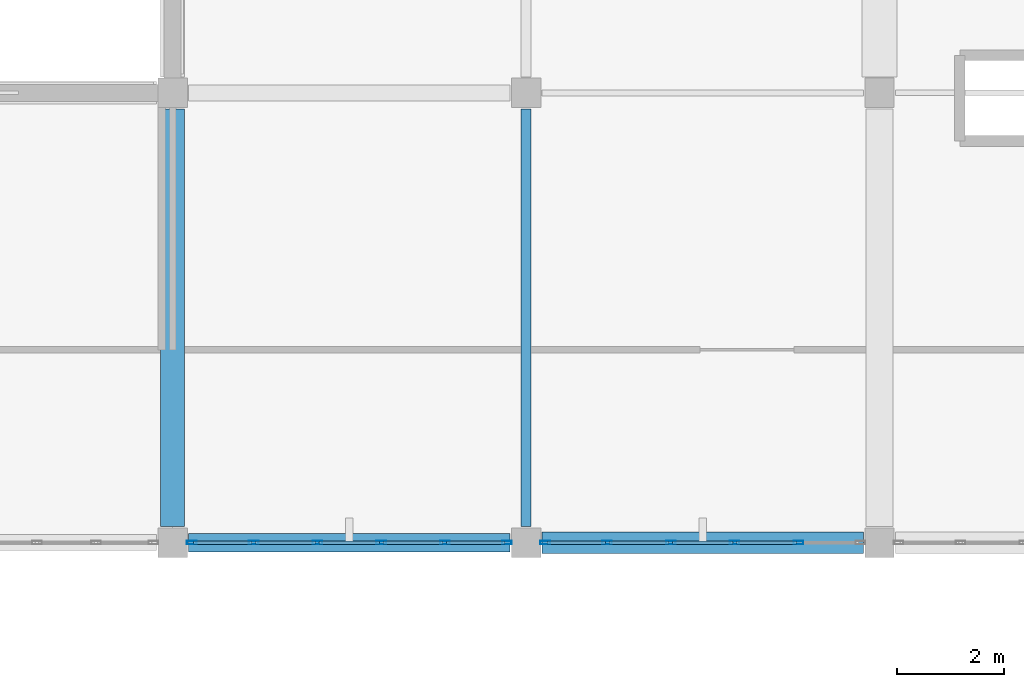
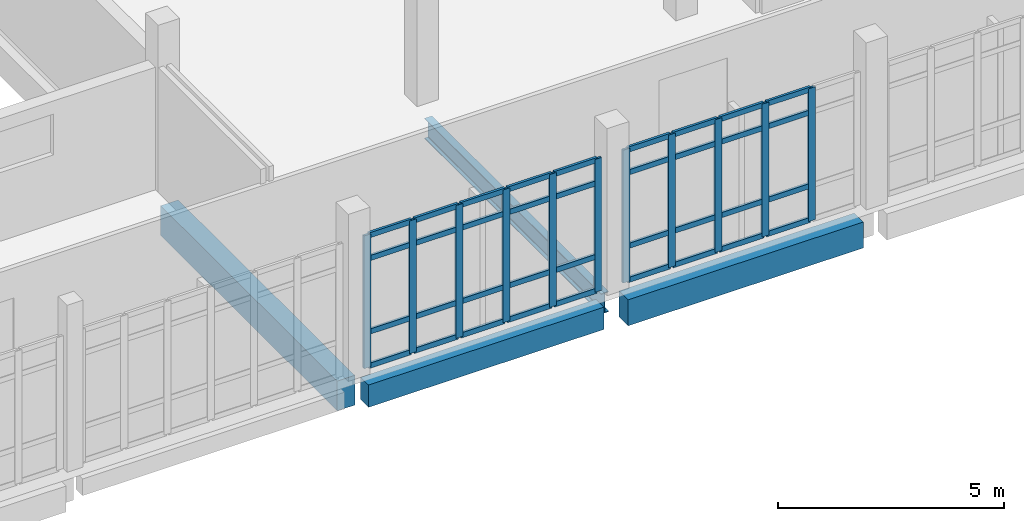
# One storey, part 71 of 134: 47 members, 4 beams, 2 elements without a shape of their own.
"""IFC4 building model written with IfcOpenShell, lengths in metres."""

import ifcopenshell
import ifcopenshell.guid

model = None  # the IFC model being written
_history = None  # IfcOwnerHistory: only IFC2X3 demands one
_inside = {}  # id of a spatial element -> (the spatial element, [elements in it])
_under = {}  # id of a project, library or spatial element -> (it, [spatial elements below it])
_declared = {}  # id of a project -> (the project, [libraries it declares])
_typed = {}  # id of a type object -> (the type object, [elements of that type])
_made_of = {}  # id of a material, layer set ... -> (it, [elements and type objects made of it])


def new_model(schema):
    """Start an empty IFC model of exactly this schema.

    Asked for "IFC4X3", IfcOpenShell would pick the latest addendum, in which some entities
    have other attributes; the version numbers below select the first issue.
    IFC2X3 requires an IfcOwnerHistory on every rooted entity: one is made here for all.
    """
    global model, _history
    if schema == "IFC4X3":
        model = ifcopenshell.file(schema_version=(4, 3, 0, 0))
    else:
        model = ifcopenshell.file(schema=schema)
    _inside.clear()
    _under.clear()
    _declared.clear()
    _typed.clear()
    _made_of.clear()
    _history = None
    if model.schema == "IFC2X3":
        org = make("IfcOrganization", Name="unknown")
        user = make(
            "IfcPersonAndOrganization",
            ThePerson=make("IfcPerson", FamilyName="unknown"),
            TheOrganization=org,
        )
        app = make(
            "IfcApplication",
            ApplicationDeveloper=org,
            Version="unknown",
            ApplicationFullName="unknown",
            ApplicationIdentifier="unknown",
        )
        _history = make(
            "IfcOwnerHistory",
            OwningUser=user,
            OwningApplication=app,
            ChangeAction="ADDED",
            CreationDate=0,
        )
    return model


def make(cls, **values):
    """One entity of the class cls with the attributes given. An attribute that is None is left unset."""
    return model.create_entity(
        cls, **{name: value for name, value in values.items() if value is not None}
    )


def rooted(cls, **values):
    """An entity with a GlobalId (a new one), such as an element, a storey or a relation."""
    return make(cls, GlobalId=ifcopenshell.guid.new(), OwnerHistory=_history, **values)


def si_unit(unit_type, name, prefix=None):
    """IfcSIUnit, for example si_unit("LENGTHUNIT", "METRE", prefix="MILLI")."""
    return make("IfcSIUnit", UnitType=unit_type, Prefix=prefix, Name=name)


def assignment(units):
    """IfcUnitAssignment: the units of a project."""
    return None if units is None else make("IfcUnitAssignment", Units=units)


def point(xyz):
    """IfcCartesianPoint."""
    return None if xyz is None else make("IfcCartesianPoint", Coordinates=xyz)


def direction(xyz):
    """IfcDirection."""
    return None if xyz is None else make("IfcDirection", DirectionRatios=xyz)


def frame(location, z_axis=None, x_axis=None):
    """IfcAxis2Placement3D, a coordinate frame: its origin and axes. An axis left out is left unset."""
    return make(
        "IfcAxis2Placement3D",
        Location=point(location),
        Axis=direction(z_axis),
        RefDirection=direction(x_axis),
    )


def frame_2d(location, x_axis=None):
    """IfcAxis2Placement2D, a coordinate frame in the plane: its origin and x axis."""
    return make(
        "IfcAxis2Placement2D", Location=point(location), RefDirection=direction(x_axis)
    )


def origin():
    """The frame at (0, 0, 0) with its axes left unset."""
    return frame((0.0, 0.0, 0.0))


def origin_2d():
    """The frame at (0, 0) in the plane with its x axis left unset."""
    return frame_2d((0.0, 0.0))


def place(relative_to, where):
    """IfcLocalPlacement: puts the frame where relative to a parent placement (None: the world)."""
    return make(
        "IfcLocalPlacement", PlacementRelTo=relative_to, RelativePlacement=where
    )


def context(
    kind, dimensions, precision=None, world=None, true_north=None, identifier=None
):
    """IfcGeometricRepresentationContext, for example the 3D "Model" context."""
    return make(
        "IfcGeometricRepresentationContext",
        ContextIdentifier=identifier,
        ContextType=kind,
        CoordinateSpaceDimension=dimensions,
        Precision=precision,
        WorldCoordinateSystem=world,
        TrueNorth=true_north,
    )


def subcontext(parent, identifier, kind, view, scale=None):
    """IfcGeometricRepresentationSubContext, for example "Body" below "Model"."""
    return make(
        "IfcGeometricRepresentationSubContext",
        ContextIdentifier=identifier,
        ContextType=kind,
        ParentContext=parent,
        TargetScale=scale,
        TargetView=view,
    )


def project(units=None, contexts=None):
    """IfcProject with its units and contexts."""
    return rooted(
        "IfcProject",
        Name="project",
        RepresentationContexts=contexts,
        UnitsInContext=assignment(units),
    )


def spatial(cls, under=None, at=None, **own):
    """A site, building, storey or space (cls), placed at a placement, below another one or the project."""
    s = rooted(cls, ObjectPlacement=at, **own)
    if under is not None:
        _under.setdefault(under.id(), (under, []))[1].append(s)
    return s


def profile(cls, at=None, kind="AREA", **sizes):
    """A parametric profile (cls). Its sizes go by their IFC names, for example OverallWidth=200.0."""
    return make(cls, ProfileType=kind, Position=at, **sizes)


def rectangle(**sizes):
    """IfcRectangleProfileDef."""
    return profile("IfcRectangleProfileDef", **sizes)


def hollow_rectangle(**sizes):
    """IfcRectangleHollowProfileDef."""
    return profile("IfcRectangleHollowProfileDef", **sizes)


def i_section(**sizes):
    """IfcIShapeProfileDef."""
    return profile("IfcIShapeProfileDef", **sizes)


def extrude(swept, where, along, depth):
    """IfcExtrudedAreaSolid: the profile swept, set in the frame where, extruded along a direction by depth."""
    return make(
        "IfcExtrudedAreaSolid",
        SweptArea=swept,
        Position=where,
        ExtrudedDirection=direction(along),
        Depth=depth,
    )


def shape(context_of_items, identifier, shape_type, items):
    """IfcShapeRepresentation: the items that make up one representation, for example the "Body"."""
    return make(
        "IfcShapeRepresentation",
        ContextOfItems=context_of_items,
        RepresentationIdentifier=identifier,
        RepresentationType=shape_type,
        Items=items,
    )


def material(Name=None, Category=None):
    """IfcMaterial."""
    return make("IfcMaterial", Name=Name, Category=Category)


def material_profile(
    of_material, cross_section, Name=None, Category=None, Priority=None
):
    """IfcMaterialProfile: a cross section and its material."""
    return make(
        "IfcMaterialProfile",
        Name=Name,
        Material=of_material,
        Profile=cross_section,
        Priority=Priority,
        Category=Category,
    )


def profile_set(profiles, Name=None, composite=None):
    """IfcMaterialProfileSet."""
    return make(
        "IfcMaterialProfileSet",
        Name=Name,
        MaterialProfiles=profiles,
        CompositeProfile=composite,
    )


def made_of(thing, what):
    """Note that an element or type object is made of a material, layer set ...; save() writes the relation."""
    if what is not None:
        _made_of.setdefault(what.id(), (what, []))[1].append(thing)
    return thing


def type_object(cls, material=None, **own):
    """A type object (cls), such as IfcWallType, which elements share."""
    return made_of(rooted(cls, **own), material)


def element(
    cls,
    number,
    at=None,
    inside=None,
    cuts=None,
    type_object=None,
    material=None,
    context=None,
    identifier="Body",
    shape_type=None,
    held_by="IfcProductDefinitionShape",
    body=None,
    shapes=None,
    **own,
):
    """One element of the class cls, such as IfcWall. Its Tag is "e" and its number.

    at: its placement. inside: the storey or other place that contains it. cuts: it is an
    opening in that element (IfcRelVoidsElement). A single representation is given by context,
    identifier, shape_type and body (its items); several are given by shapes. held_by: the class
    of the entity that holds the representations. save() writes the other relations.
    """
    e = rooted(cls, Tag="e%d" % number, ObjectPlacement=at, **own)
    if body is not None:
        shapes = [shape(context, identifier, shape_type, body)]
    if shapes is not None:
        e.Representation = make(held_by, Representations=shapes)
    if inside is not None:
        _inside.setdefault(inside.id(), (inside, []))[1].append(e)
    if cuts is not None:
        rooted(
            "IfcRelVoidsElement", RelatingBuildingElement=cuts, RelatedOpeningElement=e
        )
    if type_object is not None:
        _typed.setdefault(type_object.id(), (type_object, []))[1].append(e)
    return made_of(e, material)


def aggregate(whole, parts):
    """IfcRelAggregates: a whole, such as a stair, and the parts it consists of."""
    return rooted("IfcRelAggregates", RelatingObject=whole, RelatedObjects=parts)


def save(model, path):
    """Write the relations noted so far, then the file.

    IfcRelAggregates (storeys below a building ...), IfcRelContainedInSpatialStructure (elements
    in a storey), IfcRelDefinesByType, IfcRelAssociatesMaterial and IfcRelDeclares: one each for
    every whole, place, type object, material and project.
    """
    for whole, parts in _under.values():
        aggregate(whole, parts)
    for where, things in _inside.values():
        rooted(
            "IfcRelContainedInSpatialStructure",
            RelatedElements=things,
            RelatingStructure=where,
        )
    for kind, things in _typed.values():
        rooted("IfcRelDefinesByType", RelatedObjects=things, RelatingType=kind)
    for what, things in _made_of.values():
        rooted("IfcRelAssociatesMaterial", RelatedObjects=things, RelatingMaterial=what)
    for by, libraries in _declared.values():
        rooted("IfcRelDeclares", RelatingContext=by, RelatedDefinitions=libraries)
    model.write(path)


model = new_model("IFC4")

# Units and contexts
model_context = context("Model", 3, precision=1e-05, world=origin(), true_north=direction((0.0, 1.0)))
body_context = subcontext(model_context, "Body", "Model", "MODEL_VIEW")
ifc_project = project(units=[si_unit("LENGTHUNIT", "METRE"), si_unit("AREAUNIT", "SQUARE_METRE"), si_unit("VOLUMEUNIT", "CUBIC_METRE"), si_unit("PLANEANGLEUNIT", "RADIAN"), si_unit("MASSUNIT", "GRAM", prefix="KILO")], contexts=[model_context])

# Site, building, storey
site_placement = place(None, origin())
site = spatial("IfcSite", under=ifc_project, at=site_placement, CompositionType="ELEMENT")
building_placement = place(site_placement, origin())
building = spatial("IfcBuilding", under=site, at=building_placement, Name="Kalluvel Institute of Natural Sciences", CompositionType="ELEMENT")
storey_placement = place(building_placement, frame((0.0, 0.0, 5.39990234375)))
storey = spatial("IfcBuildingStorey", under=building, at=storey_placement, Name="L01", CompositionType="ELEMENT", Elevation=5.39990234375)

# Beams
ifc_material_1 = material(Name="Steel E350 Grade 350", Category="steel")
ifc_material_profile_1 = material_profile(ifc_material_1, i_section(OverallWidth=0.18994140625, OverallDepth=0.550048828125, WebThickness=0.01123046875, FlangeThickness=0.019287109375, FilletRadius=0.01806640625, at=origin_2d()), Name="ISMB 550")
ifc_profile_set_1 = profile_set([ifc_material_profile_1], Name="Steel E350 Grade 350")
beam_type_1 = type_object("IfcBeamType", Name="BM-ISMB550", PredefinedType="BEAM", material=ifc_profile_set_1)
beam_1_placement = place(storey_placement, frame((135.800048828125, 103.10009765625, -0.635009765625), z_axis=(0.0, 1.0, 0.0), x_axis=(-1.0, 0.0, 0.0)))
element("IfcBeam", 1, at=beam_1_placement, inside=storey, type_object=beam_type_1, Name="L01 girder GIR-L01-NS-X1358-Y1028", PredefinedType="BEAM", context=body_context, shape_type="SweptSolid", body=[
    extrude(i_section(OverallWidth=0.18994140625, OverallDepth=0.550048828125, WebThickness=0.01123046875, FlangeThickness=0.019287109375, FilletRadius=0.01806640625, at=origin_2d()), origin(), (0.0, 0.0, 1.0), 7.7998046875),
])
ifc_material_2 = material(Name="Concrete M40", Category="concrete")
ifc_material_profile_2 = material_profile(ifc_material_2, rectangle(XDim=0.449951171875, YDim=0.800048828125, at=origin_2d()), Name="RCB 450x800")
ifc_profile_set_2 = profile_set([ifc_material_profile_2], Name="Concrete M40")
beam_type_2 = type_object("IfcBeamType", Name="BM-RC450x800", PredefinedType="BEAM", material=ifc_profile_set_2)
beam_2_placement = place(storey_placement, frame((129.199951171875, 103.10009765625, -0.760009765625), z_axis=(0.0, 1.0, 0.0), x_axis=(-1.0, 0.0, 0.0)))
element("IfcBeam", 2, at=beam_2_placement, inside=storey, type_object=beam_type_2, Name="L01 girder GIR-L01-NS-X1292-Y1028", PredefinedType="BEAM", context=body_context, shape_type="SweptSolid", body=[
    extrude(rectangle(XDim=0.449951171875, YDim=0.800048828125, at=origin_2d()), origin(), (0.0, 0.0, 1.0), 7.7998046875),
])

# Curtain wall, members
ifc_material_3 = material(Name="Aluminium AW-6063 T6", Category="aluminium")
curtain_wall_type = type_object("IfcCurtainWallType", Name="CW-CLN-45", PredefinedType="USERDEFINED", material=ifc_material_3)
curtain_wall_1_placement = place(storey_placement, origin())
curtain_wall_1 = element("IfcCurtainWall", 3, at=curtain_wall_1_placement, inside=storey, type_object=curtain_wall_type, Name="L01 Gothic lancet curtain wall CWA-L01-X1295-Y1028", ObjectType="UNITISED LANCET FACADE", PredefinedType="USERDEFINED")
ifc_material_profile_3 = material_profile(ifc_material_3, hollow_rectangle(XDim=0.06494140625, YDim=0.179931640625, WallThickness=0.00439453125, at=origin_2d()), Name="CWM 65x180")
ifc_profile_set_3 = profile_set([ifc_material_profile_3], Name="Aluminium AW-6063 T6")
member_type_1 = type_object("IfcMemberType", Name="CWM-65x180", PredefinedType="MULLION", material=ifc_profile_set_3)
member_1_placement = place(storey_placement, frame((129.5576171875, 102.800048828125, 0.0), z_axis=(0.0, 0.0, 1.0), x_axis=(0.0, 1.0, 0.0)))
member_1 = element("IfcMember", 4, at=member_1_placement, type_object=member_type_1, Name="CW-08 mullion 1", PredefinedType="MULLION", context=body_context, shape_type="SweptSolid", body=[
    extrude(hollow_rectangle(XDim=0.06494140625, YDim=0.179931640625, WallThickness=0.00439453125, at=origin_2d()), origin(), (0.0, 0.0, 1.0), 3.580078125),
])
member_2_placement = place(storey_placement, frame((130.715087890625, 102.800048828125, 0.0), z_axis=(0.0, 0.0, 1.0), x_axis=(0.0, 1.0, 0.0)))
member_2 = element("IfcMember", 5, at=member_2_placement, type_object=member_type_1, Name="CW-08 mullion 2", PredefinedType="MULLION", context=body_context, shape_type="SweptSolid", body=[
    extrude(hollow_rectangle(XDim=0.06494140625, YDim=0.179931640625, WallThickness=0.00439453125, at=origin_2d()), origin(), (0.0, 0.0, 1.0), 3.580078125),
])
member_3_placement = place(storey_placement, frame((131.905029296875, 102.800048828125, 0.0), z_axis=(0.0, 0.0, 1.0), x_axis=(0.0, 1.0, 0.0)))
member_3 = element("IfcMember", 6, at=member_3_placement, type_object=member_type_1, Name="CW-08 mullion 3", PredefinedType="MULLION", context=body_context, shape_type="SweptSolid", body=[
    extrude(hollow_rectangle(XDim=0.06494140625, YDim=0.179931640625, WallThickness=0.00439453125, at=origin_2d()), origin(), (0.0, 0.0, 1.0), 3.580078125),
])
member_4_placement = place(storey_placement, frame((133.094970703125, 102.800048828125, 0.0), z_axis=(0.0, 0.0, 1.0), x_axis=(0.0, 1.0, 0.0)))
member_4 = element("IfcMember", 7, at=member_4_placement, type_object=member_type_1, Name="CW-08 mullion 4", PredefinedType="MULLION", context=body_context, shape_type="SweptSolid", body=[
    extrude(hollow_rectangle(XDim=0.06494140625, YDim=0.179931640625, WallThickness=0.00439453125, at=origin_2d()), origin(), (0.0, 0.0, 1.0), 3.580078125),
])
member_5_placement = place(storey_placement, frame((134.284912109375, 102.800048828125, 0.0), z_axis=(0.0, 0.0, 1.0), x_axis=(0.0, 1.0, 0.0)))
member_5 = element("IfcMember", 8, at=member_5_placement, type_object=member_type_1, Name="CW-08 mullion 5", PredefinedType="MULLION", context=body_context, shape_type="SweptSolid", body=[
    extrude(hollow_rectangle(XDim=0.06494140625, YDim=0.179931640625, WallThickness=0.00439453125, at=origin_2d()), origin(), (0.0, 0.0, 1.0), 3.580078125),
])
member_6_placement = place(storey_placement, frame((135.4423828125, 102.800048828125, 0.0), z_axis=(0.0, 0.0, 1.0), x_axis=(0.0, 1.0, 0.0)))
member_6 = element("IfcMember", 9, at=member_6_placement, type_object=member_type_1, Name="CW-08 mullion 6", PredefinedType="MULLION", context=body_context, shape_type="SweptSolid", body=[
    extrude(hollow_rectangle(XDim=0.06494140625, YDim=0.179931640625, WallThickness=0.00439453125, at=origin_2d()), origin(), (0.0, 0.0, 1.0), 3.580078125),
])

curtain_wall_2_placement = place(storey_placement, origin())
curtain_wall_2 = element("IfcCurtainWall", 10, at=curtain_wall_2_placement, inside=storey, type_object=curtain_wall_type, Name="L01 Gothic lancet curtain wall CWA-L01-X1361-Y1028", ObjectType="UNITISED LANCET FACADE", PredefinedType="USERDEFINED")
member_7_placement = place(storey_placement, frame((136.157470703125, 102.800048828125, 0.0), z_axis=(0.0, 0.0, 1.0), x_axis=(0.0, 1.0, 0.0)))
member_7 = element("IfcMember", 11, at=member_7_placement, type_object=member_type_1, Name="CW-08 mullion 1", PredefinedType="MULLION", context=body_context, shape_type="SweptSolid", body=[
    extrude(hollow_rectangle(XDim=0.06494140625, YDim=0.179931640625, WallThickness=0.00439453125, at=origin_2d()), origin(), (0.0, 0.0, 1.0), 3.580078125),
])
member_8_placement = place(storey_placement, frame((137.31494140625, 102.800048828125, 0.0), z_axis=(0.0, 0.0, 1.0), x_axis=(0.0, 1.0, 0.0)))
member_8 = element("IfcMember", 12, at=member_8_placement, type_object=member_type_1, Name="CW-08 mullion 2", PredefinedType="MULLION", context=body_context, shape_type="SweptSolid", body=[
    extrude(hollow_rectangle(XDim=0.06494140625, YDim=0.179931640625, WallThickness=0.00439453125, at=origin_2d()), origin(), (0.0, 0.0, 1.0), 3.580078125),
])
member_9_placement = place(storey_placement, frame((138.5048828125, 102.800048828125, 0.0), z_axis=(0.0, 0.0, 1.0), x_axis=(0.0, 1.0, 0.0)))
member_9 = element("IfcMember", 13, at=member_9_placement, type_object=member_type_1, Name="CW-08 mullion 3", PredefinedType="MULLION", context=body_context, shape_type="SweptSolid", body=[
    extrude(hollow_rectangle(XDim=0.06494140625, YDim=0.179931640625, WallThickness=0.00439453125, at=origin_2d()), origin(), (0.0, 0.0, 1.0), 3.580078125),
])
member_10_placement = place(storey_placement, frame((139.695068359375, 102.800048828125, 0.0), z_axis=(0.0, 0.0, 1.0), x_axis=(0.0, 1.0, 0.0)))
member_10 = element("IfcMember", 14, at=member_10_placement, type_object=member_type_1, Name="CW-08 mullion 4", PredefinedType="MULLION", context=body_context, shape_type="SweptSolid", body=[
    extrude(hollow_rectangle(XDim=0.06494140625, YDim=0.179931640625, WallThickness=0.00439453125, at=origin_2d()), origin(), (0.0, 0.0, 1.0), 3.580078125),
])
member_11_placement = place(storey_placement, frame((140.885009765625, 102.800048828125, 0.0), z_axis=(0.0, 0.0, 1.0), x_axis=(0.0, 1.0, 0.0)))
member_11 = element("IfcMember", 15, at=member_11_placement, type_object=member_type_1, Name="CW-08 mullion 5", PredefinedType="MULLION", context=body_context, shape_type="SweptSolid", body=[
    extrude(hollow_rectangle(XDim=0.06494140625, YDim=0.179931640625, WallThickness=0.00439453125, at=origin_2d()), origin(), (0.0, 0.0, 1.0), 3.580078125),
])

# Member
ifc_material_profile_4 = material_profile(ifc_material_3, hollow_rectangle(XDim=0.06494140625, YDim=0.139892578125, WallThickness=0.00439453125, at=origin_2d()), Name="CWT 65x140")
ifc_profile_set_4 = profile_set([ifc_material_profile_4], Name="Aluminium AW-6063 T6")
member_type_2 = type_object("IfcMemberType", Name="CWT-65x140", PredefinedType="USERDEFINED", material=ifc_profile_set_4)
member_12_placement = place(storey_placement, frame((129.590087890625, 102.800048828125, 0.03271484375), z_axis=(1.0, 0.0, 0.0), x_axis=(0.0, 1.0, 0.0)))
member_12 = element("IfcMember", 16, at=member_12_placement, type_object=member_type_2, Name="CW-08 transom 1.1", ObjectType="TRANSOM", PredefinedType="USERDEFINED", context=body_context, shape_type="SweptSolid", body=[
    extrude(hollow_rectangle(XDim=0.06494140625, YDim=0.139892578125, WallThickness=0.00439453125, at=origin_2d()), origin(), (0.0, 0.0, 1.0), 1.092529296875),
])

member_13_placement = place(storey_placement, frame((129.590087890625, 102.800048828125, 0.9501953125), z_axis=(1.0, 0.0, 0.0), x_axis=(0.0, 1.0, 0.0)))
member_13 = element("IfcMember", 17, at=member_13_placement, type_object=member_type_2, Name="CW-08 transom 1.2", ObjectType="TRANSOM", PredefinedType="USERDEFINED", context=body_context, shape_type="SweptSolid", body=[
    extrude(hollow_rectangle(XDim=0.06494140625, YDim=0.139892578125, WallThickness=0.00439453125, at=origin_2d()), origin(), (0.0, 0.0, 1.0), 1.092529296875),
])

member_14_placement = place(storey_placement, frame((129.590087890625, 102.800048828125, 2.93017578125), z_axis=(1.0, 0.0, 0.0), x_axis=(0.0, 1.0, 0.0)))
member_14 = element("IfcMember", 18, at=member_14_placement, type_object=member_type_2, Name="CW-08 transom 1.3", ObjectType="TRANSOM", PredefinedType="USERDEFINED", context=body_context, shape_type="SweptSolid", body=[
    extrude(hollow_rectangle(XDim=0.06494140625, YDim=0.139892578125, WallThickness=0.00439453125, at=origin_2d()), origin(), (0.0, 0.0, 1.0), 1.092529296875),
])

member_15_placement = place(storey_placement, frame((129.590087890625, 102.800048828125, 3.547607421875), z_axis=(1.0, 0.0, 0.0), x_axis=(0.0, 1.0, 0.0)))
member_15 = element("IfcMember", 19, at=member_15_placement, type_object=member_type_2, Name="CW-08 transom 1.4", ObjectType="TRANSOM", PredefinedType="USERDEFINED", context=body_context, shape_type="SweptSolid", body=[
    extrude(hollow_rectangle(XDim=0.06494140625, YDim=0.139892578125, WallThickness=0.00439453125, at=origin_2d()), origin(), (0.0, 0.0, 1.0), 1.092529296875),
])

member_16_placement = place(storey_placement, frame((130.74755859375, 102.800048828125, 0.03271484375), z_axis=(1.0, 0.0, 0.0), x_axis=(0.0, 1.0, 0.0)))
member_16 = element("IfcMember", 20, at=member_16_placement, type_object=member_type_2, Name="CW-08 transom 2.1", ObjectType="TRANSOM", PredefinedType="USERDEFINED", context=body_context, shape_type="SweptSolid", body=[
    extrude(hollow_rectangle(XDim=0.06494140625, YDim=0.139892578125, WallThickness=0.00439453125, at=origin_2d()), origin(), (0.0, 0.0, 1.0), 1.125),
])

member_17_placement = place(storey_placement, frame((130.74755859375, 102.800048828125, 0.9501953125), z_axis=(1.0, 0.0, 0.0), x_axis=(0.0, 1.0, 0.0)))
member_17 = element("IfcMember", 21, at=member_17_placement, type_object=member_type_2, Name="CW-08 transom 2.2", ObjectType="TRANSOM", PredefinedType="USERDEFINED", context=body_context, shape_type="SweptSolid", body=[
    extrude(hollow_rectangle(XDim=0.06494140625, YDim=0.139892578125, WallThickness=0.00439453125, at=origin_2d()), origin(), (0.0, 0.0, 1.0), 1.125),
])

member_18_placement = place(storey_placement, frame((130.74755859375, 102.800048828125, 2.93017578125), z_axis=(1.0, 0.0, 0.0), x_axis=(0.0, 1.0, 0.0)))
member_18 = element("IfcMember", 22, at=member_18_placement, type_object=member_type_2, Name="CW-08 transom 2.3", ObjectType="TRANSOM", PredefinedType="USERDEFINED", context=body_context, shape_type="SweptSolid", body=[
    extrude(hollow_rectangle(XDim=0.06494140625, YDim=0.139892578125, WallThickness=0.00439453125, at=origin_2d()), origin(), (0.0, 0.0, 1.0), 1.125),
])

member_19_placement = place(storey_placement, frame((130.74755859375, 102.800048828125, 3.547607421875), z_axis=(1.0, 0.0, 0.0), x_axis=(0.0, 1.0, 0.0)))
member_19 = element("IfcMember", 23, at=member_19_placement, type_object=member_type_2, Name="CW-08 transom 2.4", ObjectType="TRANSOM", PredefinedType="USERDEFINED", context=body_context, shape_type="SweptSolid", body=[
    extrude(hollow_rectangle(XDim=0.06494140625, YDim=0.139892578125, WallThickness=0.00439453125, at=origin_2d()), origin(), (0.0, 0.0, 1.0), 1.125),
])

member_20_placement = place(storey_placement, frame((131.9375, 102.800048828125, 0.03271484375), z_axis=(1.0, 0.0, 0.0), x_axis=(0.0, 1.0, 0.0)))
member_20 = element("IfcMember", 24, at=member_20_placement, type_object=member_type_2, Name="CW-08 transom 3.1", ObjectType="TRANSOM", PredefinedType="USERDEFINED", context=body_context, shape_type="SweptSolid", body=[
    extrude(hollow_rectangle(XDim=0.06494140625, YDim=0.139892578125, WallThickness=0.00439453125, at=origin_2d()), origin(), (0.0, 0.0, 1.0), 1.125),
])

member_21_placement = place(storey_placement, frame((131.9375, 102.800048828125, 0.9501953125), z_axis=(1.0, 0.0, 0.0), x_axis=(0.0, 1.0, 0.0)))
member_21 = element("IfcMember", 25, at=member_21_placement, type_object=member_type_2, Name="CW-08 transom 3.2", ObjectType="TRANSOM", PredefinedType="USERDEFINED", context=body_context, shape_type="SweptSolid", body=[
    extrude(hollow_rectangle(XDim=0.06494140625, YDim=0.139892578125, WallThickness=0.00439453125, at=origin_2d()), origin(), (0.0, 0.0, 1.0), 1.125),
])

member_22_placement = place(storey_placement, frame((131.9375, 102.800048828125, 2.93017578125), z_axis=(1.0, 0.0, 0.0), x_axis=(0.0, 1.0, 0.0)))
member_22 = element("IfcMember", 26, at=member_22_placement, type_object=member_type_2, Name="CW-08 transom 3.3", ObjectType="TRANSOM", PredefinedType="USERDEFINED", context=body_context, shape_type="SweptSolid", body=[
    extrude(hollow_rectangle(XDim=0.06494140625, YDim=0.139892578125, WallThickness=0.00439453125, at=origin_2d()), origin(), (0.0, 0.0, 1.0), 1.125),
])

member_23_placement = place(storey_placement, frame((131.9375, 102.800048828125, 3.547607421875), z_axis=(1.0, 0.0, 0.0), x_axis=(0.0, 1.0, 0.0)))
member_23 = element("IfcMember", 27, at=member_23_placement, type_object=member_type_2, Name="CW-08 transom 3.4", ObjectType="TRANSOM", PredefinedType="USERDEFINED", context=body_context, shape_type="SweptSolid", body=[
    extrude(hollow_rectangle(XDim=0.06494140625, YDim=0.139892578125, WallThickness=0.00439453125, at=origin_2d()), origin(), (0.0, 0.0, 1.0), 1.125),
])

member_24_placement = place(storey_placement, frame((133.12744140625, 102.800048828125, 0.03271484375), z_axis=(1.0, 0.0, 0.0), x_axis=(0.0, 1.0, 0.0)))
member_24 = element("IfcMember", 28, at=member_24_placement, type_object=member_type_2, Name="CW-08 transom 4.1", ObjectType="TRANSOM", PredefinedType="USERDEFINED", context=body_context, shape_type="SweptSolid", body=[
    extrude(hollow_rectangle(XDim=0.06494140625, YDim=0.139892578125, WallThickness=0.00439453125, at=origin_2d()), origin(), (0.0, 0.0, 1.0), 1.125),
])

member_25_placement = place(storey_placement, frame((133.12744140625, 102.800048828125, 0.9501953125), z_axis=(1.0, 0.0, 0.0), x_axis=(0.0, 1.0, 0.0)))
member_25 = element("IfcMember", 29, at=member_25_placement, type_object=member_type_2, Name="CW-08 transom 4.2", ObjectType="TRANSOM", PredefinedType="USERDEFINED", context=body_context, shape_type="SweptSolid", body=[
    extrude(hollow_rectangle(XDim=0.06494140625, YDim=0.139892578125, WallThickness=0.00439453125, at=origin_2d()), origin(), (0.0, 0.0, 1.0), 1.125),
])

member_26_placement = place(storey_placement, frame((133.12744140625, 102.800048828125, 2.93017578125), z_axis=(1.0, 0.0, 0.0), x_axis=(0.0, 1.0, 0.0)))
member_26 = element("IfcMember", 30, at=member_26_placement, type_object=member_type_2, Name="CW-08 transom 4.3", ObjectType="TRANSOM", PredefinedType="USERDEFINED", context=body_context, shape_type="SweptSolid", body=[
    extrude(hollow_rectangle(XDim=0.06494140625, YDim=0.139892578125, WallThickness=0.00439453125, at=origin_2d()), origin(), (0.0, 0.0, 1.0), 1.125),
])

member_27_placement = place(storey_placement, frame((133.12744140625, 102.800048828125, 3.547607421875), z_axis=(1.0, 0.0, 0.0), x_axis=(0.0, 1.0, 0.0)))
member_27 = element("IfcMember", 31, at=member_27_placement, type_object=member_type_2, Name="CW-08 transom 4.4", ObjectType="TRANSOM", PredefinedType="USERDEFINED", context=body_context, shape_type="SweptSolid", body=[
    extrude(hollow_rectangle(XDim=0.06494140625, YDim=0.139892578125, WallThickness=0.00439453125, at=origin_2d()), origin(), (0.0, 0.0, 1.0), 1.125),
])

member_28_placement = place(storey_placement, frame((134.3173828125, 102.800048828125, 0.03271484375), z_axis=(1.0, 0.0, 0.0), x_axis=(0.0, 1.0, 0.0)))
member_28 = element("IfcMember", 32, at=member_28_placement, type_object=member_type_2, Name="CW-08 transom 5.1", ObjectType="TRANSOM", PredefinedType="USERDEFINED", context=body_context, shape_type="SweptSolid", body=[
    extrude(hollow_rectangle(XDim=0.06494140625, YDim=0.139892578125, WallThickness=0.00439453125, at=origin_2d()), origin(), (0.0, 0.0, 1.0), 1.092529296875),
])

member_29_placement = place(storey_placement, frame((134.3173828125, 102.800048828125, 0.9501953125), z_axis=(1.0, 0.0, 0.0), x_axis=(0.0, 1.0, 0.0)))
member_29 = element("IfcMember", 33, at=member_29_placement, type_object=member_type_2, Name="CW-08 transom 5.2", ObjectType="TRANSOM", PredefinedType="USERDEFINED", context=body_context, shape_type="SweptSolid", body=[
    extrude(hollow_rectangle(XDim=0.06494140625, YDim=0.139892578125, WallThickness=0.00439453125, at=origin_2d()), origin(), (0.0, 0.0, 1.0), 1.092529296875),
])

member_30_placement = place(storey_placement, frame((134.3173828125, 102.800048828125, 2.93017578125), z_axis=(1.0, 0.0, 0.0), x_axis=(0.0, 1.0, 0.0)))
member_30 = element("IfcMember", 34, at=member_30_placement, type_object=member_type_2, Name="CW-08 transom 5.3", ObjectType="TRANSOM", PredefinedType="USERDEFINED", context=body_context, shape_type="SweptSolid", body=[
    extrude(hollow_rectangle(XDim=0.06494140625, YDim=0.139892578125, WallThickness=0.00439453125, at=origin_2d()), origin(), (0.0, 0.0, 1.0), 1.092529296875),
])

member_31_placement = place(storey_placement, frame((134.3173828125, 102.800048828125, 3.547607421875), z_axis=(1.0, 0.0, 0.0), x_axis=(0.0, 1.0, 0.0)))
member_31 = element("IfcMember", 35, at=member_31_placement, type_object=member_type_2, Name="CW-08 transom 5.4", ObjectType="TRANSOM", PredefinedType="USERDEFINED", context=body_context, shape_type="SweptSolid", body=[
    extrude(hollow_rectangle(XDim=0.06494140625, YDim=0.139892578125, WallThickness=0.00439453125, at=origin_2d()), origin(), (0.0, 0.0, 1.0), 1.092529296875),
])

aggregate(curtain_wall_1, [member_1, member_2, member_3, member_4, member_5, member_6, member_12, member_13, member_14, member_15, member_16, member_17, member_18, member_19, member_20, member_21, member_22, member_23, member_24, member_25, member_26, member_27, member_28, member_29, member_30, member_31])

member_32_placement = place(storey_placement, frame((136.18994140625, 102.800048828125, 0.03271484375), z_axis=(1.0, 0.0, 0.0), x_axis=(0.0, 1.0, 0.0)))
member_32 = element("IfcMember", 36, at=member_32_placement, type_object=member_type_2, Name="CW-08 transom 1.1", ObjectType="TRANSOM", PredefinedType="USERDEFINED", context=body_context, shape_type="SweptSolid", body=[
    extrude(hollow_rectangle(XDim=0.06494140625, YDim=0.139892578125, WallThickness=0.00439453125, at=origin_2d()), origin(), (0.0, 0.0, 1.0), 1.092529296875),
])

member_33_placement = place(storey_placement, frame((136.18994140625, 102.800048828125, 0.9501953125), z_axis=(1.0, 0.0, 0.0), x_axis=(0.0, 1.0, 0.0)))
member_33 = element("IfcMember", 37, at=member_33_placement, type_object=member_type_2, Name="CW-08 transom 1.2", ObjectType="TRANSOM", PredefinedType="USERDEFINED", context=body_context, shape_type="SweptSolid", body=[
    extrude(hollow_rectangle(XDim=0.06494140625, YDim=0.139892578125, WallThickness=0.00439453125, at=origin_2d()), origin(), (0.0, 0.0, 1.0), 1.092529296875),
])

member_34_placement = place(storey_placement, frame((136.18994140625, 102.800048828125, 2.93017578125), z_axis=(1.0, 0.0, 0.0), x_axis=(0.0, 1.0, 0.0)))
member_34 = element("IfcMember", 38, at=member_34_placement, type_object=member_type_2, Name="CW-08 transom 1.3", ObjectType="TRANSOM", PredefinedType="USERDEFINED", context=body_context, shape_type="SweptSolid", body=[
    extrude(hollow_rectangle(XDim=0.06494140625, YDim=0.139892578125, WallThickness=0.00439453125, at=origin_2d()), origin(), (0.0, 0.0, 1.0), 1.092529296875),
])

member_35_placement = place(storey_placement, frame((136.18994140625, 102.800048828125, 3.547607421875), z_axis=(1.0, 0.0, 0.0), x_axis=(0.0, 1.0, 0.0)))
member_35 = element("IfcMember", 39, at=member_35_placement, type_object=member_type_2, Name="CW-08 transom 1.4", ObjectType="TRANSOM", PredefinedType="USERDEFINED", context=body_context, shape_type="SweptSolid", body=[
    extrude(hollow_rectangle(XDim=0.06494140625, YDim=0.139892578125, WallThickness=0.00439453125, at=origin_2d()), origin(), (0.0, 0.0, 1.0), 1.092529296875),
])

member_36_placement = place(storey_placement, frame((137.347412109375, 102.800048828125, 0.03271484375), z_axis=(1.0, 0.0, 0.0), x_axis=(0.0, 1.0, 0.0)))
member_36 = element("IfcMember", 40, at=member_36_placement, type_object=member_type_2, Name="CW-08 transom 2.1", ObjectType="TRANSOM", PredefinedType="USERDEFINED", context=body_context, shape_type="SweptSolid", body=[
    extrude(hollow_rectangle(XDim=0.06494140625, YDim=0.139892578125, WallThickness=0.00439453125, at=origin_2d()), origin(), (0.0, 0.0, 1.0), 1.125),
])

member_37_placement = place(storey_placement, frame((137.347412109375, 102.800048828125, 0.9501953125), z_axis=(1.0, 0.0, 0.0), x_axis=(0.0, 1.0, 0.0)))
member_37 = element("IfcMember", 41, at=member_37_placement, type_object=member_type_2, Name="CW-08 transom 2.2", ObjectType="TRANSOM", PredefinedType="USERDEFINED", context=body_context, shape_type="SweptSolid", body=[
    extrude(hollow_rectangle(XDim=0.06494140625, YDim=0.139892578125, WallThickness=0.00439453125, at=origin_2d()), origin(), (0.0, 0.0, 1.0), 1.125),
])

member_38_placement = place(storey_placement, frame((137.347412109375, 102.800048828125, 2.93017578125), z_axis=(1.0, 0.0, 0.0), x_axis=(0.0, 1.0, 0.0)))
member_38 = element("IfcMember", 42, at=member_38_placement, type_object=member_type_2, Name="CW-08 transom 2.3", ObjectType="TRANSOM", PredefinedType="USERDEFINED", context=body_context, shape_type="SweptSolid", body=[
    extrude(hollow_rectangle(XDim=0.06494140625, YDim=0.139892578125, WallThickness=0.00439453125, at=origin_2d()), origin(), (0.0, 0.0, 1.0), 1.125),
])

member_39_placement = place(storey_placement, frame((137.347412109375, 102.800048828125, 3.547607421875), z_axis=(1.0, 0.0, 0.0), x_axis=(0.0, 1.0, 0.0)))
member_39 = element("IfcMember", 43, at=member_39_placement, type_object=member_type_2, Name="CW-08 transom 2.4", ObjectType="TRANSOM", PredefinedType="USERDEFINED", context=body_context, shape_type="SweptSolid", body=[
    extrude(hollow_rectangle(XDim=0.06494140625, YDim=0.139892578125, WallThickness=0.00439453125, at=origin_2d()), origin(), (0.0, 0.0, 1.0), 1.125),
])

member_40_placement = place(storey_placement, frame((138.53759765625, 102.800048828125, 0.03271484375), z_axis=(1.0, 0.0, 0.0), x_axis=(0.0, 1.0, 0.0)))
member_40 = element("IfcMember", 44, at=member_40_placement, type_object=member_type_2, Name="CW-08 transom 3.1", ObjectType="TRANSOM", PredefinedType="USERDEFINED", context=body_context, shape_type="SweptSolid", body=[
    extrude(hollow_rectangle(XDim=0.06494140625, YDim=0.139892578125, WallThickness=0.00439453125, at=origin_2d()), origin(), (0.0, 0.0, 1.0), 1.125),
])

member_41_placement = place(storey_placement, frame((138.53759765625, 102.800048828125, 0.9501953125), z_axis=(1.0, 0.0, 0.0), x_axis=(0.0, 1.0, 0.0)))
member_41 = element("IfcMember", 45, at=member_41_placement, type_object=member_type_2, Name="CW-08 transom 3.2", ObjectType="TRANSOM", PredefinedType="USERDEFINED", context=body_context, shape_type="SweptSolid", body=[
    extrude(hollow_rectangle(XDim=0.06494140625, YDim=0.139892578125, WallThickness=0.00439453125, at=origin_2d()), origin(), (0.0, 0.0, 1.0), 1.125),
])

member_42_placement = place(storey_placement, frame((138.53759765625, 102.800048828125, 2.93017578125), z_axis=(1.0, 0.0, 0.0), x_axis=(0.0, 1.0, 0.0)))
member_42 = element("IfcMember", 46, at=member_42_placement, type_object=member_type_2, Name="CW-08 transom 3.3", ObjectType="TRANSOM", PredefinedType="USERDEFINED", context=body_context, shape_type="SweptSolid", body=[
    extrude(hollow_rectangle(XDim=0.06494140625, YDim=0.139892578125, WallThickness=0.00439453125, at=origin_2d()), origin(), (0.0, 0.0, 1.0), 1.125),
])

member_43_placement = place(storey_placement, frame((138.53759765625, 102.800048828125, 3.547607421875), z_axis=(1.0, 0.0, 0.0), x_axis=(0.0, 1.0, 0.0)))
member_43 = element("IfcMember", 47, at=member_43_placement, type_object=member_type_2, Name="CW-08 transom 3.4", ObjectType="TRANSOM", PredefinedType="USERDEFINED", context=body_context, shape_type="SweptSolid", body=[
    extrude(hollow_rectangle(XDim=0.06494140625, YDim=0.139892578125, WallThickness=0.00439453125, at=origin_2d()), origin(), (0.0, 0.0, 1.0), 1.125),
])

member_44_placement = place(storey_placement, frame((139.7275390625, 102.800048828125, 0.03271484375), z_axis=(1.0, 0.0, 0.0), x_axis=(0.0, 1.0, 0.0)))
member_44 = element("IfcMember", 48, at=member_44_placement, type_object=member_type_2, Name="CW-08 transom 4.1", ObjectType="TRANSOM", PredefinedType="USERDEFINED", context=body_context, shape_type="SweptSolid", body=[
    extrude(hollow_rectangle(XDim=0.06494140625, YDim=0.139892578125, WallThickness=0.00439453125, at=origin_2d()), origin(), (0.0, 0.0, 1.0), 1.125),
])

member_45_placement = place(storey_placement, frame((139.7275390625, 102.800048828125, 0.9501953125), z_axis=(1.0, 0.0, 0.0), x_axis=(0.0, 1.0, 0.0)))
member_45 = element("IfcMember", 49, at=member_45_placement, type_object=member_type_2, Name="CW-08 transom 4.2", ObjectType="TRANSOM", PredefinedType="USERDEFINED", context=body_context, shape_type="SweptSolid", body=[
    extrude(hollow_rectangle(XDim=0.06494140625, YDim=0.139892578125, WallThickness=0.00439453125, at=origin_2d()), origin(), (0.0, 0.0, 1.0), 1.125),
])

member_46_placement = place(storey_placement, frame((139.7275390625, 102.800048828125, 2.93017578125), z_axis=(1.0, 0.0, 0.0), x_axis=(0.0, 1.0, 0.0)))
member_46 = element("IfcMember", 50, at=member_46_placement, type_object=member_type_2, Name="CW-08 transom 4.3", ObjectType="TRANSOM", PredefinedType="USERDEFINED", context=body_context, shape_type="SweptSolid", body=[
    extrude(hollow_rectangle(XDim=0.06494140625, YDim=0.139892578125, WallThickness=0.00439453125, at=origin_2d()), origin(), (0.0, 0.0, 1.0), 1.125),
])

member_47_placement = place(storey_placement, frame((139.7275390625, 102.800048828125, 3.547607421875), z_axis=(1.0, 0.0, 0.0), x_axis=(0.0, 1.0, 0.0)))
member_47 = element("IfcMember", 51, at=member_47_placement, type_object=member_type_2, Name="CW-08 transom 4.4", ObjectType="TRANSOM", PredefinedType="USERDEFINED", context=body_context, shape_type="SweptSolid", body=[
    extrude(hollow_rectangle(XDim=0.06494140625, YDim=0.139892578125, WallThickness=0.00439453125, at=origin_2d()), origin(), (0.0, 0.0, 1.0), 1.125),
])

aggregate(curtain_wall_2, [member_7, member_8, member_9, member_10, member_11, member_32, member_33, member_34, member_35, member_36, member_37, member_38, member_39, member_40, member_41, member_42, member_43, member_44, member_45, member_46, member_47])

# Beams
ifc_material_profile_5 = material_profile(ifc_material_2, rectangle(XDim=0.35009765625, YDim=0.60009765625, at=origin_2d()), Name="RCB 350x600")
ifc_profile_set_5 = profile_set([ifc_material_profile_5], Name="Concrete M40")
beam_type_3 = type_object("IfcBeamType", Name="SP-RC350x600", PredefinedType="SPANDREL", material=ifc_profile_set_5)
beam_3_placement = place(storey_placement, frame((129.5, 102.800048828125, -0.659912109375), z_axis=(1.0, 0.0, 0.0), x_axis=(0.0, 1.0, 0.0)))
element("IfcBeam", 52, at=beam_3_placement, inside=storey, type_object=beam_type_3, Name="L01 girder GIR-L01-EW-X1292-Y1028", PredefinedType="SPANDREL", context=body_context, shape_type="SweptSolid", body=[
    extrude(rectangle(XDim=0.35009765625, YDim=0.60009765625, at=origin_2d()), origin(), (0.0, 0.0, 1.0), 6.0),
])
ifc_material_profile_6 = material_profile(ifc_material_2, rectangle(XDim=0.39990234375, YDim=0.699951171875, at=origin_2d()), Name="RCB 400x700")
ifc_profile_set_6 = profile_set([ifc_material_profile_6], Name="Concrete M40")
beam_type_4 = type_object("IfcBeamType", Name="SP-RC400x700", PredefinedType="SPANDREL", material=ifc_profile_set_6)
beam_4_placement = place(storey_placement, frame((136.10009765625, 102.800048828125, -0.7099609375), z_axis=(1.0, 0.0, 0.0), x_axis=(0.0, 1.0, 0.0)))
element("IfcBeam", 53, at=beam_4_placement, inside=storey, type_object=beam_type_4, Name="L01 girder GIR-L01-EW-X1358-Y1028", PredefinedType="SPANDREL", context=body_context, shape_type="SweptSolid", body=[
    extrude(rectangle(XDim=0.39990234375, YDim=0.699951171875, at=origin_2d()), origin(), (0.0, 0.0, 1.0), 6.0),
])

save(model, "model.ifc")
